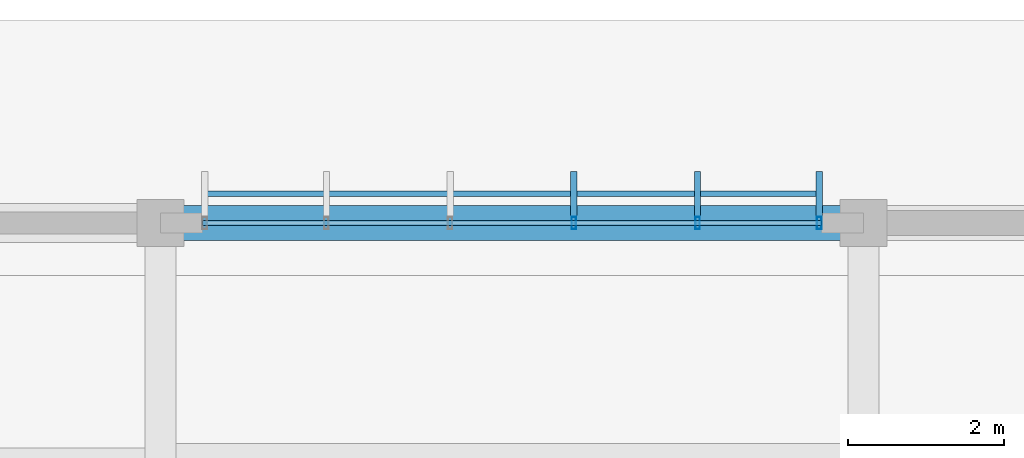
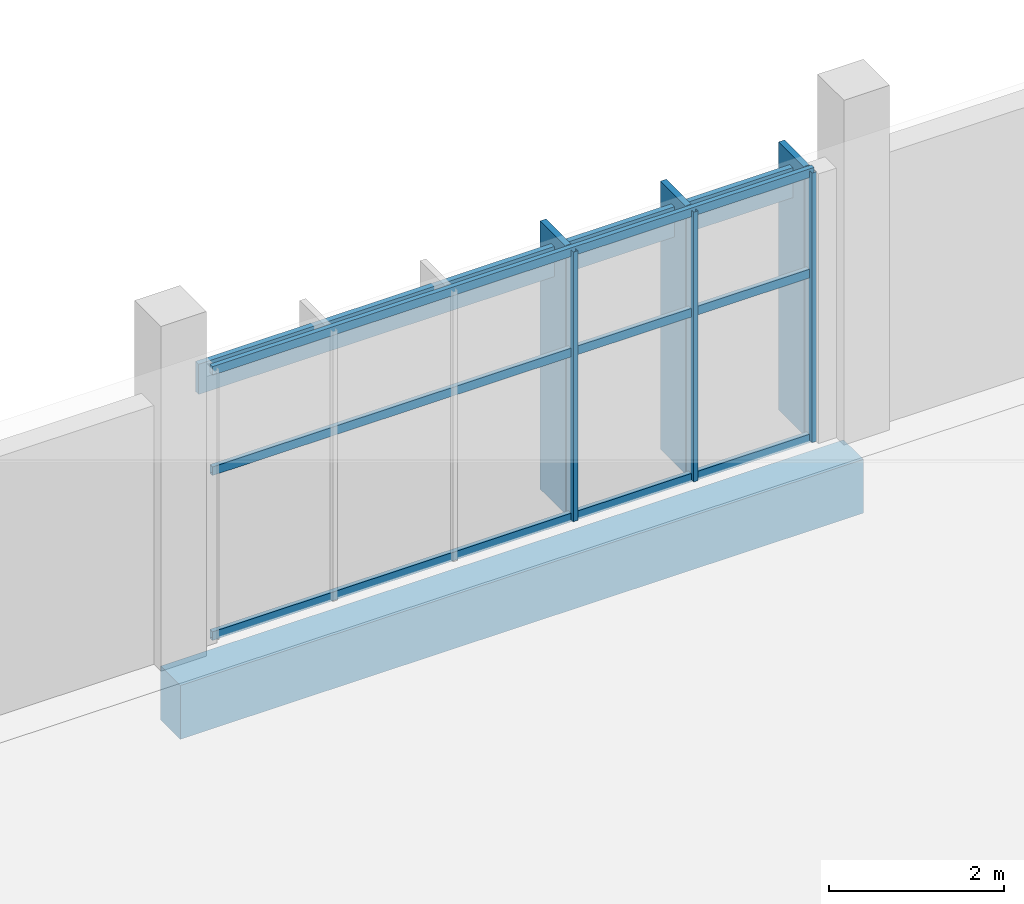
# One storey, part 98 of 151: 10 members, 1 beam, 1 element without a shape of its own.
"""IFC4 building model written with IfcOpenShell, lengths in metres."""

import ifcopenshell
import ifcopenshell.guid

model = None  # the IFC model being written
_history = None  # IfcOwnerHistory: only IFC2X3 demands one
_inside = {}  # id of a spatial element -> (the spatial element, [elements in it])
_under = {}  # id of a project, library or spatial element -> (it, [spatial elements below it])
_declared = {}  # id of a project -> (the project, [libraries it declares])
_typed = {}  # id of a type object -> (the type object, [elements of that type])
_made_of = {}  # id of a material, layer set ... -> (it, [elements and type objects made of it])


def new_model(schema):
    """Start an empty IFC model of exactly this schema.

    Asked for "IFC4X3", IfcOpenShell would pick the latest addendum, in which some entities
    have other attributes; the version numbers below select the first issue.
    IFC2X3 requires an IfcOwnerHistory on every rooted entity: one is made here for all.
    """
    global model, _history
    if schema == "IFC4X3":
        model = ifcopenshell.file(schema_version=(4, 3, 0, 0))
    else:
        model = ifcopenshell.file(schema=schema)
    _inside.clear()
    _under.clear()
    _declared.clear()
    _typed.clear()
    _made_of.clear()
    _history = None
    if model.schema == "IFC2X3":
        org = make("IfcOrganization", Name="unknown")
        user = make(
            "IfcPersonAndOrganization",
            ThePerson=make("IfcPerson", FamilyName="unknown"),
            TheOrganization=org,
        )
        app = make(
            "IfcApplication",
            ApplicationDeveloper=org,
            Version="unknown",
            ApplicationFullName="unknown",
            ApplicationIdentifier="unknown",
        )
        _history = make(
            "IfcOwnerHistory",
            OwningUser=user,
            OwningApplication=app,
            ChangeAction="ADDED",
            CreationDate=0,
        )
    return model


def make(cls, **values):
    """One entity of the class cls with the attributes given. An attribute that is None is left unset."""
    return model.create_entity(
        cls, **{name: value for name, value in values.items() if value is not None}
    )


def rooted(cls, **values):
    """An entity with a GlobalId (a new one), such as an element, a storey or a relation."""
    return make(cls, GlobalId=ifcopenshell.guid.new(), OwnerHistory=_history, **values)


def si_unit(unit_type, name, prefix=None):
    """IfcSIUnit, for example si_unit("LENGTHUNIT", "METRE", prefix="MILLI")."""
    return make("IfcSIUnit", UnitType=unit_type, Prefix=prefix, Name=name)


def assignment(units):
    """IfcUnitAssignment: the units of a project."""
    return None if units is None else make("IfcUnitAssignment", Units=units)


def point(xyz):
    """IfcCartesianPoint."""
    return None if xyz is None else make("IfcCartesianPoint", Coordinates=xyz)


def direction(xyz):
    """IfcDirection."""
    return None if xyz is None else make("IfcDirection", DirectionRatios=xyz)


def frame(location, z_axis=None, x_axis=None):
    """IfcAxis2Placement3D, a coordinate frame: its origin and axes. An axis left out is left unset."""
    return make(
        "IfcAxis2Placement3D",
        Location=point(location),
        Axis=direction(z_axis),
        RefDirection=direction(x_axis),
    )


def frame_2d(location, x_axis=None):
    """IfcAxis2Placement2D, a coordinate frame in the plane: its origin and x axis."""
    return make(
        "IfcAxis2Placement2D", Location=point(location), RefDirection=direction(x_axis)
    )


def origin():
    """The frame at (0, 0, 0) with its axes left unset."""
    return frame((0.0, 0.0, 0.0))


def origin_2d():
    """The frame at (0, 0) in the plane with its x axis left unset."""
    return frame_2d((0.0, 0.0))


def place(relative_to, where):
    """IfcLocalPlacement: puts the frame where relative to a parent placement (None: the world)."""
    return make(
        "IfcLocalPlacement", PlacementRelTo=relative_to, RelativePlacement=where
    )


def context(
    kind, dimensions, precision=None, world=None, true_north=None, identifier=None
):
    """IfcGeometricRepresentationContext, for example the 3D "Model" context."""
    return make(
        "IfcGeometricRepresentationContext",
        ContextIdentifier=identifier,
        ContextType=kind,
        CoordinateSpaceDimension=dimensions,
        Precision=precision,
        WorldCoordinateSystem=world,
        TrueNorth=true_north,
    )


def subcontext(parent, identifier, kind, view, scale=None):
    """IfcGeometricRepresentationSubContext, for example "Body" below "Model"."""
    return make(
        "IfcGeometricRepresentationSubContext",
        ContextIdentifier=identifier,
        ContextType=kind,
        ParentContext=parent,
        TargetScale=scale,
        TargetView=view,
    )


def project(units=None, contexts=None):
    """IfcProject with its units and contexts."""
    return rooted(
        "IfcProject",
        Name="project",
        RepresentationContexts=contexts,
        UnitsInContext=assignment(units),
    )


def spatial(cls, under=None, at=None, **own):
    """A site, building, storey or space (cls), placed at a placement, below another one or the project."""
    s = rooted(cls, ObjectPlacement=at, **own)
    if under is not None:
        _under.setdefault(under.id(), (under, []))[1].append(s)
    return s


def profile(cls, at=None, kind="AREA", **sizes):
    """A parametric profile (cls). Its sizes go by their IFC names, for example OverallWidth=200.0."""
    return make(cls, ProfileType=kind, Position=at, **sizes)


def rectangle(**sizes):
    """IfcRectangleProfileDef."""
    return profile("IfcRectangleProfileDef", **sizes)


def hollow_rectangle(**sizes):
    """IfcRectangleHollowProfileDef."""
    return profile("IfcRectangleHollowProfileDef", **sizes)


def extrude(swept, where, along, depth):
    """IfcExtrudedAreaSolid: the profile swept, set in the frame where, extruded along a direction by depth."""
    return make(
        "IfcExtrudedAreaSolid",
        SweptArea=swept,
        Position=where,
        ExtrudedDirection=direction(along),
        Depth=depth,
    )


def shape(context_of_items, identifier, shape_type, items):
    """IfcShapeRepresentation: the items that make up one representation, for example the "Body"."""
    return make(
        "IfcShapeRepresentation",
        ContextOfItems=context_of_items,
        RepresentationIdentifier=identifier,
        RepresentationType=shape_type,
        Items=items,
    )


def material(Name=None, Category=None):
    """IfcMaterial."""
    return make("IfcMaterial", Name=Name, Category=Category)


def material_profile(
    of_material, cross_section, Name=None, Category=None, Priority=None
):
    """IfcMaterialProfile: a cross section and its material."""
    return make(
        "IfcMaterialProfile",
        Name=Name,
        Material=of_material,
        Profile=cross_section,
        Priority=Priority,
        Category=Category,
    )


def profile_set(profiles, Name=None, composite=None):
    """IfcMaterialProfileSet."""
    return make(
        "IfcMaterialProfileSet",
        Name=Name,
        MaterialProfiles=profiles,
        CompositeProfile=composite,
    )


def made_of(thing, what):
    """Note that an element or type object is made of a material, layer set ...; save() writes the relation."""
    if what is not None:
        _made_of.setdefault(what.id(), (what, []))[1].append(thing)
    return thing


def type_object(cls, material=None, **own):
    """A type object (cls), such as IfcWallType, which elements share."""
    return made_of(rooted(cls, **own), material)


def element(
    cls,
    number,
    at=None,
    inside=None,
    cuts=None,
    type_object=None,
    material=None,
    context=None,
    identifier="Body",
    shape_type=None,
    held_by="IfcProductDefinitionShape",
    body=None,
    shapes=None,
    **own,
):
    """One element of the class cls, such as IfcWall. Its Tag is "e" and its number.

    at: its placement. inside: the storey or other place that contains it. cuts: it is an
    opening in that element (IfcRelVoidsElement). A single representation is given by context,
    identifier, shape_type and body (its items); several are given by shapes. held_by: the class
    of the entity that holds the representations. save() writes the other relations.
    """
    e = rooted(cls, Tag="e%d" % number, ObjectPlacement=at, **own)
    if body is not None:
        shapes = [shape(context, identifier, shape_type, body)]
    if shapes is not None:
        e.Representation = make(held_by, Representations=shapes)
    if inside is not None:
        _inside.setdefault(inside.id(), (inside, []))[1].append(e)
    if cuts is not None:
        rooted(
            "IfcRelVoidsElement", RelatingBuildingElement=cuts, RelatedOpeningElement=e
        )
    if type_object is not None:
        _typed.setdefault(type_object.id(), (type_object, []))[1].append(e)
    return made_of(e, material)


def aggregate(whole, parts):
    """IfcRelAggregates: a whole, such as a stair, and the parts it consists of."""
    return rooted("IfcRelAggregates", RelatingObject=whole, RelatedObjects=parts)


def save(model, path):
    """Write the relations noted so far, then the file.

    IfcRelAggregates (storeys below a building ...), IfcRelContainedInSpatialStructure (elements
    in a storey), IfcRelDefinesByType, IfcRelAssociatesMaterial and IfcRelDeclares: one each for
    every whole, place, type object, material and project.
    """
    for whole, parts in _under.values():
        aggregate(whole, parts)
    for where, things in _inside.values():
        rooted(
            "IfcRelContainedInSpatialStructure",
            RelatedElements=things,
            RelatingStructure=where,
        )
    for kind, things in _typed.values():
        rooted("IfcRelDefinesByType", RelatedObjects=things, RelatingType=kind)
    for what, things in _made_of.values():
        rooted("IfcRelAssociatesMaterial", RelatedObjects=things, RelatingMaterial=what)
    for by, libraries in _declared.values():
        rooted("IfcRelDeclares", RelatingContext=by, RelatedDefinitions=libraries)
    model.write(path)


model = new_model("IFC4")

# Units and contexts
model_context = context("Model", 3, precision=1e-05, world=origin(), true_north=direction((0.0, 1.0)))
body_context = subcontext(model_context, "Body", "Model", "MODEL_VIEW")
ifc_project = project(units=[si_unit("LENGTHUNIT", "METRE"), si_unit("AREAUNIT", "SQUARE_METRE"), si_unit("VOLUMEUNIT", "CUBIC_METRE"), si_unit("PLANEANGLEUNIT", "RADIAN"), si_unit("MASSUNIT", "GRAM", prefix="KILO")], contexts=[model_context])

# Site, building, storey
site_placement = place(None, origin())
site = spatial("IfcSite", under=ifc_project, at=site_placement, CompositionType="ELEMENT")
building_placement = place(site_placement, origin())
building = spatial("IfcBuilding", under=site, at=building_placement, Name="Chiffa Square Polytechnic", CompositionType="ELEMENT")
storey_placement = place(building_placement, origin())
storey = spatial("IfcBuildingStorey", under=building, at=storey_placement, Name="L00", CompositionType="ELEMENT", Elevation=0.0)

# Beam
ifc_material_1 = material(Name="Concrete C35/45", Category="concrete")
ifc_material_profile_1 = material_profile(ifc_material_1, rectangle(XDim=0.449951171875, YDim=0.75, at=origin_2d()), Name="RC 450x750")
ifc_profile_set_1 = profile_set([ifc_material_profile_1], Name="Concrete C35/45")
beam_type = type_object("IfcBeamType", Name="BM-RC-450X750", PredefinedType="BEAM", material=ifc_profile_set_1)
beam_placement = place(storey_placement, frame((57.60009765625, 130.800048828125, -0.72509765625), z_axis=(1.0, 0.0, 0.0), x_axis=(0.0, 1.0, 0.0)))
element("IfcBeam", 1, at=beam_placement, inside=storey, type_object=beam_type, Name="Primary floor girder BM-V5-L00-X-0576-1308", PredefinedType="BEAM", context=body_context, shape_type="SweptSolid", body=[
    extrude(rectangle(XDim=0.449951171875, YDim=0.75, at=origin_2d()), origin(), (0.0, 0.0, 1.0), 9.0),
])

# Curtain wall, members
ifc_material_2 = material(Name="Aluminium EN AW-6060 T66 and glulam shading", Category="wood")
curtain_wall_type = type_object("IfcCurtainWallType", Name="CW-VERT-450X380", PredefinedType="USERDEFINED", material=ifc_material_2)
curtain_wall_placement = place(storey_placement, origin())
curtain_wall = element("IfcCurtainWall", 2, at=curtain_wall_placement, inside=storey, type_object=curtain_wall_type, Name="Curtain wall CW-V5-L00-194", ObjectType="CURTAIN WALL", PredefinedType="USERDEFINED")
ifc_material_3 = material(Name="Aluminium EN AW-6060 T66", Category="aluminium")
ifc_material_profile_2 = material_profile(ifc_material_3, hollow_rectangle(XDim=0.06005859375, YDim=0.159912109375, WallThickness=0.00390625, at=origin_2d()), Name="ALU 60x160x4")
ifc_profile_set_2 = profile_set([ifc_material_profile_2], Name="Aluminium EN AW-6060 T66")
member_type_1 = type_object("IfcMemberType", Name="CWM-ALU-65X150", PredefinedType="MULLION", material=ifc_profile_set_2)
member_1_placement = place(storey_placement, frame((66.034912109375, 130.800048828125, 0.0), z_axis=(0.0, 0.0, 1.0), x_axis=(1.0, 0.0, 0.0)))
member_1 = element("IfcMember", 3, at=member_1_placement, type_object=member_type_1, Name="Curtain wall mullion CW-V5-L00-194-M00", PredefinedType="MULLION", context=body_context, shape_type="SweptSolid", body=[
    extrude(hollow_rectangle(XDim=0.06005859375, YDim=0.159912109375, WallThickness=0.00390625, at=origin_2d()), origin(), (0.0, 0.0, 1.0), 3.7548828125),
])
member_2_placement = place(storey_placement, frame((64.47607421875, 130.800048828125, 0.0), z_axis=(0.0, 0.0, 1.0), x_axis=(1.0, 0.0, 0.0)))
member_2 = element("IfcMember", 4, at=member_2_placement, type_object=member_type_1, Name="Curtain wall mullion CW-V5-L00-194-M01", PredefinedType="MULLION", context=body_context, shape_type="SweptSolid", body=[
    extrude(hollow_rectangle(XDim=0.06005859375, YDim=0.159912109375, WallThickness=0.00390625, at=origin_2d()), origin(), (0.0, 0.0, 1.0), 3.7548828125),
])
member_3_placement = place(storey_placement, frame((62.89208984375, 130.800048828125, 0.0), z_axis=(0.0, 0.0, 1.0), x_axis=(1.0, 0.0, 0.0)))
member_3 = element("IfcMember", 5, at=member_3_placement, type_object=member_type_1, Name="Curtain wall mullion CW-V5-L00-194-M02", PredefinedType="MULLION", context=body_context, shape_type="SweptSolid", body=[
    extrude(hollow_rectangle(XDim=0.06005859375, YDim=0.159912109375, WallThickness=0.00390625, at=origin_2d()), origin(), (0.0, 0.0, 1.0), 3.7548828125),
])
ifc_material_4 = material(Name="Glulam GL28h", Category="wood")
ifc_material_profile_3 = material_profile(ifc_material_4, rectangle(XDim=0.080078125, YDim=0.580078125, at=origin_2d()), Name="GL28h 80x580")
ifc_profile_set_3 = profile_set([ifc_material_profile_3], Name="Glulam GL28h")
member_type_2 = type_object("IfcMemberType", Name="CWM-GL-80X580", PredefinedType="MULLION", material=ifc_profile_set_3)
member_4_placement = place(storey_placement, frame((66.034912109375, 131.172119140625, 0.010009765625), z_axis=(0.0, 0.0, 1.0), x_axis=(-1.0, 0.0, 0.0)))
member_4 = element("IfcMember", 6, at=member_4_placement, type_object=member_type_2, Name="Exterior glulam solar fin CW-V5-L00-194-FN00", PredefinedType="MULLION", context=body_context, shape_type="SweptSolid", body=[
    extrude(rectangle(XDim=0.080078125, YDim=0.580078125, at=origin_2d()), origin(), (0.0, 0.0, 1.0), 3.735107421875),
])
member_5_placement = place(storey_placement, frame((64.47607421875, 131.172119140625, 0.010009765625), z_axis=(0.0, 0.0, 1.0), x_axis=(-1.0, 0.0, 0.0)))
member_5 = element("IfcMember", 7, at=member_5_placement, type_object=member_type_2, Name="Exterior glulam solar fin CW-V5-L00-194-FN01", PredefinedType="MULLION", context=body_context, shape_type="SweptSolid", body=[
    extrude(rectangle(XDim=0.080078125, YDim=0.580078125, at=origin_2d()), origin(), (0.0, 0.0, 1.0), 3.735107421875),
])
member_6_placement = place(storey_placement, frame((62.89208984375, 131.172119140625, 0.010009765625), z_axis=(0.0, 0.0, 1.0), x_axis=(-1.0, 0.0, 0.0)))
member_6 = element("IfcMember", 8, at=member_6_placement, type_object=member_type_2, Name="Exterior glulam solar fin CW-V5-L00-194-FN02", PredefinedType="MULLION", context=body_context, shape_type="SweptSolid", body=[
    extrude(rectangle(XDim=0.080078125, YDim=0.580078125, at=origin_2d()), origin(), (0.0, 0.0, 1.0), 3.735107421875),
])
ifc_material_profile_4 = material_profile(ifc_material_3, hollow_rectangle(XDim=0.06005859375, YDim=0.1201171875, WallThickness=0.00390625, at=origin_2d()), Name="ALU 60x120x4")
ifc_profile_set_4 = profile_set([ifc_material_profile_4], Name="Aluminium EN AW-6060 T66")
member_type_3 = type_object("IfcMemberType", Name="CWT-ALU-65X120", PredefinedType="USERDEFINED", material=ifc_profile_set_4)
member_7_placement = place(storey_placement, frame((66.06201171875, 130.800048828125, 0.030029296875), z_axis=(-1.0, 0.0, 0.0), x_axis=(0.0, -1.0, 0.0)))
member_7 = element("IfcMember", 9, at=member_7_placement, type_object=member_type_3, Name="Curtain wall transom CW-V5-L00-194-T01", ObjectType="TRANSOM", PredefinedType="USERDEFINED", context=body_context, shape_type="SweptSolid", body=[
    extrude(hollow_rectangle(XDim=0.06005859375, YDim=0.1201171875, WallThickness=0.00390625, at=origin_2d()), origin(), (0.0, 0.0, 1.0), 7.924072265625),
])
member_8_placement = place(storey_placement, frame((66.06201171875, 130.800048828125, 2.327880859375), z_axis=(-1.0, 0.0, 0.0), x_axis=(0.0, -1.0, 0.0)))
member_8 = element("IfcMember", 10, at=member_8_placement, type_object=member_type_3, Name="Curtain wall transom CW-V5-L00-194-T02", ObjectType="TRANSOM", PredefinedType="USERDEFINED", context=body_context, shape_type="SweptSolid", body=[
    extrude(hollow_rectangle(XDim=0.06005859375, YDim=0.1201171875, WallThickness=0.00390625, at=origin_2d()), origin(), (0.0, 0.0, 1.0), 7.924072265625),
])
member_9_placement = place(storey_placement, frame((66.06201171875, 130.800048828125, 3.72509765625), z_axis=(-1.0, 0.0, 0.0), x_axis=(0.0, -1.0, 0.0)))
member_9 = element("IfcMember", 11, at=member_9_placement, type_object=member_type_3, Name="Curtain wall transom CW-V5-L00-194-T03", ObjectType="TRANSOM", PredefinedType="USERDEFINED", context=body_context, shape_type="SweptSolid", body=[
    extrude(hollow_rectangle(XDim=0.06005859375, YDim=0.1201171875, WallThickness=0.00390625, at=origin_2d()), origin(), (0.0, 0.0, 1.0), 7.924072265625),
])
ifc_material_profile_5 = material_profile(ifc_material_4, rectangle(XDim=0.070068359375, YDim=0.419921875, at=origin_2d()), Name="GL28h 70x420")
ifc_profile_set_5 = profile_set([ifc_material_profile_5], Name="Glulam GL28h")
member_type_4 = type_object("IfcMemberType", Name="CWT-GL-70X420", PredefinedType="USERDEFINED", material=ifc_profile_set_5)
member_10_placement = place(storey_placement, frame((66.034912109375, 131.172119140625, 3.375), z_axis=(-1.0, 0.0, 0.0), x_axis=(0.0, -1.0, 0.0)))
member_10 = element("IfcMember", 12, at=member_10_placement, type_object=member_type_4, Name="Exterior glulam brise-soleil CW-V5-L00-194-BS01", ObjectType="TRANSOM", PredefinedType="USERDEFINED", context=body_context, shape_type="SweptSolid", body=[
    extrude(rectangle(XDim=0.070068359375, YDim=0.419921875, at=origin_2d()), origin(), (0.0, 0.0, 1.0), 7.869873046875),
])
aggregate(curtain_wall, [member_1, member_4, member_2, member_5, member_3, member_6, member_7, member_8, member_9, member_10])

save(model, "model.ifc")
